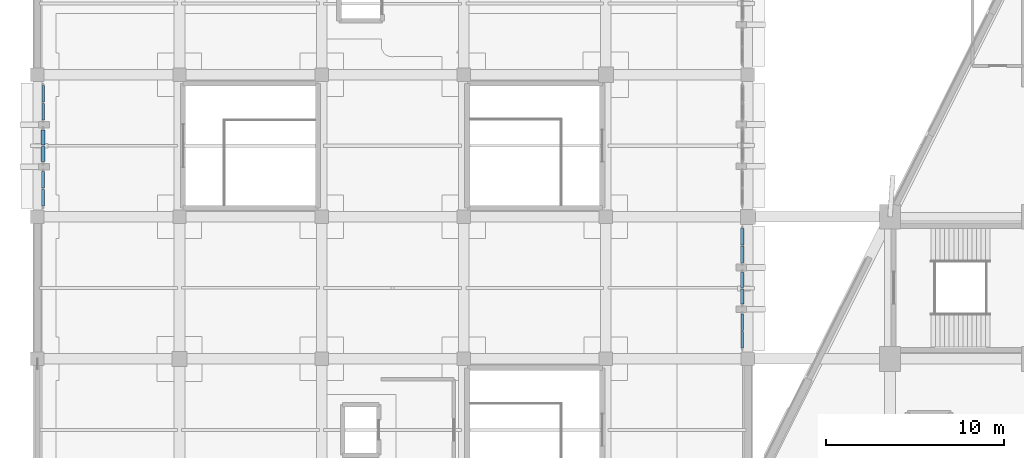
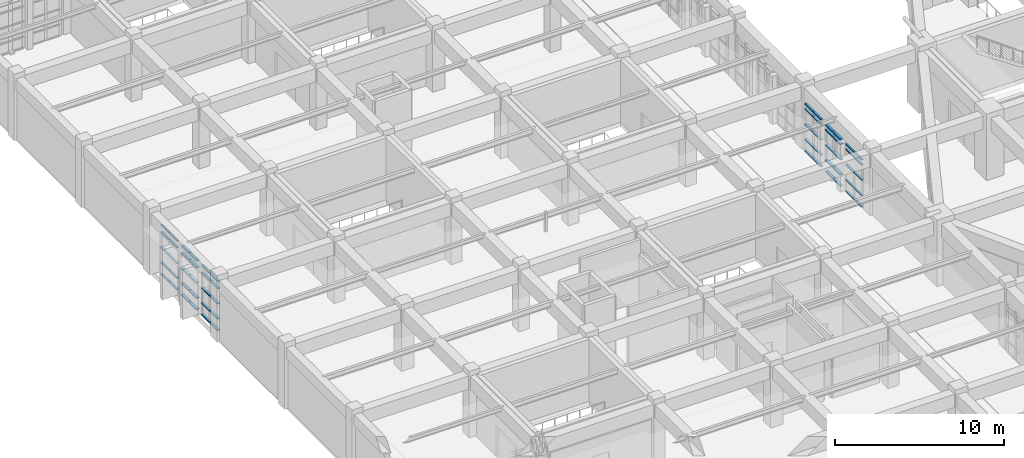
# One storey, part 62 of 155: 60 members, 6 elements without a shape of their own.
"""IFC4 building model written with IfcOpenShell, lengths in metres."""

from ifc_helpers import new_model, si_unit, direction, frame, origin, origin_2d, place, context, subcontext, project, spatial, rectangle, extrude, material, layer, layer_set, material_profile, profile_set, type_object, element, aggregate, save


model = new_model("IFC4")

# Units and contexts
model_context = context("Model", 3, precision=1e-05, world=origin(), true_north=direction((0.0, 1.0)))
body_context = subcontext(model_context, "Body", "Model", "MODEL_VIEW")
ifc_project = project(units=[si_unit("LENGTHUNIT", "METRE"), si_unit("AREAUNIT", "SQUARE_METRE"), si_unit("VOLUMEUNIT", "CUBIC_METRE"), si_unit("PLANEANGLEUNIT", "RADIAN"), si_unit("MASSUNIT", "GRAM", prefix="KILO")], contexts=[model_context])

# Site, building, storey
site_placement = place(None, origin())
site = spatial("IfcSite", under=ifc_project, at=site_placement, CompositionType="ELEMENT")
building_placement = place(site_placement, origin())
building = spatial("IfcBuilding", under=site, at=building_placement, Name="Tazarka Park Arena", CompositionType="ELEMENT")
storey_placement = place(building_placement, frame((0.0, 0.0, 5.39990234375)))
storey = spatial("IfcBuildingStorey", under=building, at=storey_placement, Name="L01", CompositionType="ELEMENT", Elevation=5.39990234375)

# Curtain wall, members
ifc_material_1 = material(Name="Aluminium and low-e glass", Category="aluminium")
ifc_layer_1 = layer(ifc_material_1, 0.179931640625, Name="Aluminium and low-e glass")
ifc_layer_set_1 = layer_set([ifc_layer_1], Name="Aluminium and low-e glass")
curtain_wall_type_1 = type_object("IfcCurtainWallType", Name="CW-21", PredefinedType="NOTDEFINED", material=ifc_layer_set_1)
curtain_wall_1_placement = place(storey_placement, origin())
curtain_wall_1 = element("IfcCurtainWall", 1, at=curtain_wall_1_placement, inside=storey, type_object=curtain_wall_type_1, Name="Curtain Wall CWA-L01-111", PredefinedType="NOTDEFINED")
ifc_material_2 = material(Name="Aluminium 6060-T66", Category="aluminium")
ifc_material_profile_1 = material_profile(ifc_material_2, rectangle(XDim=0.139892578125, YDim=0.06494140625, at=origin_2d()), Name="Aluminium 6060-T66")
ifc_profile_set_1 = profile_set([ifc_material_profile_1], Name="Aluminium 6060-T66")
member_type_1 = type_object("IfcMemberType", Name="CWT-01", PredefinedType="USERDEFINED", material=ifc_profile_set_1)
member_1_placement = place(storey_placement, frame((39.679931640625, 74.526611328125, 0.03271484375), z_axis=(0.0, -1.0, 0.0), x_axis=(1.0, 0.0, 0.0)))
member_1 = element("IfcMember", 2, at=member_1_placement, type_object=member_type_1, Name="CW-21 transom 1.1", ObjectType="TRANSOM", PredefinedType="USERDEFINED", context=body_context, shape_type="SweptSolid", body=[
    extrude(rectangle(XDim=0.139892578125, YDim=0.06494140625, at=origin_2d()), origin(), (0.0, 0.0, 1.0), 0.920654296875),
])
member_2_placement = place(storey_placement, frame((39.679931640625, 74.526611328125, 0.85009765625), z_axis=(0.0, -1.0, 0.0), x_axis=(1.0, 0.0, 0.0)))
member_2 = element("IfcMember", 3, at=member_2_placement, type_object=member_type_1, Name="CW-21 transom 1.2", ObjectType="TRANSOM", PredefinedType="USERDEFINED", context=body_context, shape_type="SweptSolid", body=[
    extrude(rectangle(XDim=0.139892578125, YDim=0.06494140625, at=origin_2d()), origin(), (0.0, 0.0, 1.0), 0.920654296875),
])
member_3_placement = place(storey_placement, frame((39.679931640625, 74.526611328125, 1.9501953125), z_axis=(0.0, -1.0, 0.0), x_axis=(1.0, 0.0, 0.0)))
member_3 = element("IfcMember", 4, at=member_3_placement, type_object=member_type_1, Name="CW-21 transom 1.3", ObjectType="TRANSOM", PredefinedType="USERDEFINED", context=body_context, shape_type="SweptSolid", body=[
    extrude(rectangle(XDim=0.139892578125, YDim=0.06494140625, at=origin_2d()), origin(), (0.0, 0.0, 1.0), 0.920654296875),
])
member_4_placement = place(storey_placement, frame((39.679931640625, 74.526611328125, 3.050048828125), z_axis=(0.0, -1.0, 0.0), x_axis=(1.0, 0.0, 0.0)))
member_4 = element("IfcMember", 5, at=member_4_placement, type_object=member_type_1, Name="CW-21 transom 1.4", ObjectType="TRANSOM", PredefinedType="USERDEFINED", context=body_context, shape_type="SweptSolid", body=[
    extrude(rectangle(XDim=0.139892578125, YDim=0.06494140625, at=origin_2d()), origin(), (0.0, 0.0, 1.0), 0.920654296875),
])
member_5_placement = place(storey_placement, frame((39.679931640625, 74.526611328125, 3.41748046875), z_axis=(0.0, -1.0, 0.0), x_axis=(1.0, 0.0, 0.0)))
member_5 = element("IfcMember", 6, at=member_5_placement, type_object=member_type_1, Name="CW-21 transom 1.5", ObjectType="TRANSOM", PredefinedType="USERDEFINED", context=body_context, shape_type="SweptSolid", body=[
    extrude(rectangle(XDim=0.139892578125, YDim=0.06494140625, at=origin_2d()), origin(), (0.0, 0.0, 1.0), 0.920654296875),
])
member_6_placement = place(storey_placement, frame((39.679931640625, 73.540771484375, 0.03271484375), z_axis=(0.0, -1.0, 0.0), x_axis=(1.0, 0.0, 0.0)))
member_6 = element("IfcMember", 7, at=member_6_placement, type_object=member_type_1, Name="CW-21 transom 2.1", ObjectType="TRANSOM", PredefinedType="USERDEFINED", context=body_context, shape_type="SweptSolid", body=[
    extrude(rectangle(XDim=0.139892578125, YDim=0.06494140625, at=origin_2d()), origin(), (0.0, 0.0, 1.0), 0.920654296875),
])
member_7_placement = place(storey_placement, frame((39.679931640625, 73.540771484375, 0.85009765625), z_axis=(0.0, -1.0, 0.0), x_axis=(1.0, 0.0, 0.0)))
member_7 = element("IfcMember", 8, at=member_7_placement, type_object=member_type_1, Name="CW-21 transom 2.2", ObjectType="TRANSOM", PredefinedType="USERDEFINED", context=body_context, shape_type="SweptSolid", body=[
    extrude(rectangle(XDim=0.139892578125, YDim=0.06494140625, at=origin_2d()), origin(), (0.0, 0.0, 1.0), 0.920654296875),
])
member_8_placement = place(storey_placement, frame((39.679931640625, 73.540771484375, 1.9501953125), z_axis=(0.0, -1.0, 0.0), x_axis=(1.0, 0.0, 0.0)))
member_8 = element("IfcMember", 9, at=member_8_placement, type_object=member_type_1, Name="CW-21 transom 2.3", ObjectType="TRANSOM", PredefinedType="USERDEFINED", context=body_context, shape_type="SweptSolid", body=[
    extrude(rectangle(XDim=0.139892578125, YDim=0.06494140625, at=origin_2d()), origin(), (0.0, 0.0, 1.0), 0.920654296875),
])
member_9_placement = place(storey_placement, frame((39.679931640625, 73.540771484375, 3.050048828125), z_axis=(0.0, -1.0, 0.0), x_axis=(1.0, 0.0, 0.0)))
member_9 = element("IfcMember", 10, at=member_9_placement, type_object=member_type_1, Name="CW-21 transom 2.4", ObjectType="TRANSOM", PredefinedType="USERDEFINED", context=body_context, shape_type="SweptSolid", body=[
    extrude(rectangle(XDim=0.139892578125, YDim=0.06494140625, at=origin_2d()), origin(), (0.0, 0.0, 1.0), 0.920654296875),
])
member_10_placement = place(storey_placement, frame((39.679931640625, 73.540771484375, 3.41748046875), z_axis=(0.0, -1.0, 0.0), x_axis=(1.0, 0.0, 0.0)))
member_10 = element("IfcMember", 11, at=member_10_placement, type_object=member_type_1, Name="CW-21 transom 2.5", ObjectType="TRANSOM", PredefinedType="USERDEFINED", context=body_context, shape_type="SweptSolid", body=[
    extrude(rectangle(XDim=0.139892578125, YDim=0.06494140625, at=origin_2d()), origin(), (0.0, 0.0, 1.0), 0.920654296875),
])
aggregate(curtain_wall_1, [member_1, member_2, member_3, member_4, member_5, member_6, member_7, member_8, member_9, member_10])

ifc_material_3 = material(Name="Aluminium and low-e glass", Category="aluminium")
ifc_layer_2 = layer(ifc_material_3, 0.179931640625, Name="Aluminium and low-e glass")
ifc_layer_set_2 = layer_set([ifc_layer_2], Name="Aluminium and low-e glass")
curtain_wall_type_2 = type_object("IfcCurtainWallType", Name="CW-18", PredefinedType="NOTDEFINED", material=ifc_layer_set_2)
curtain_wall_2_placement = place(storey_placement, origin())
curtain_wall_2 = element("IfcCurtainWall", 12, at=curtain_wall_2_placement, inside=storey, type_object=curtain_wall_type_2, Name="Curtain Wall CWA-L01-138", PredefinedType="NOTDEFINED")
member_11_placement = place(storey_placement, frame((0.320068359375, 85.456787109375, 0.03271484375), z_axis=(0.0, 1.0, 0.0), x_axis=(-1.0, 0.0, 0.0)))
member_11 = element("IfcMember", 13, at=member_11_placement, type_object=member_type_1, Name="CW-18 transom 1.1", ObjectType="TRANSOM", PredefinedType="USERDEFINED", context=body_context, shape_type="SweptSolid", body=[
    extrude(rectangle(XDim=0.139892578125, YDim=0.06494140625, at=origin_2d()), origin(), (0.0, 0.0, 1.0), 0.928955078125),
])
member_12_placement = place(storey_placement, frame((0.320068359375, 85.456787109375, 0.85009765625), z_axis=(0.0, 1.0, 0.0), x_axis=(-1.0, 0.0, 0.0)))
member_12 = element("IfcMember", 14, at=member_12_placement, type_object=member_type_1, Name="CW-18 transom 1.2", ObjectType="TRANSOM", PredefinedType="USERDEFINED", context=body_context, shape_type="SweptSolid", body=[
    extrude(rectangle(XDim=0.139892578125, YDim=0.06494140625, at=origin_2d()), origin(), (0.0, 0.0, 1.0), 0.928955078125),
])
member_13_placement = place(storey_placement, frame((0.320068359375, 85.456787109375, 1.9501953125), z_axis=(0.0, 1.0, 0.0), x_axis=(-1.0, 0.0, 0.0)))
member_13 = element("IfcMember", 15, at=member_13_placement, type_object=member_type_1, Name="CW-18 transom 1.3", ObjectType="TRANSOM", PredefinedType="USERDEFINED", context=body_context, shape_type="SweptSolid", body=[
    extrude(rectangle(XDim=0.139892578125, YDim=0.06494140625, at=origin_2d()), origin(), (0.0, 0.0, 1.0), 0.928955078125),
])
member_14_placement = place(storey_placement, frame((0.320068359375, 85.456787109375, 3.050048828125), z_axis=(0.0, 1.0, 0.0), x_axis=(-1.0, 0.0, 0.0)))
member_14 = element("IfcMember", 16, at=member_14_placement, type_object=member_type_1, Name="CW-18 transom 1.4", ObjectType="TRANSOM", PredefinedType="USERDEFINED", context=body_context, shape_type="SweptSolid", body=[
    extrude(rectangle(XDim=0.139892578125, YDim=0.06494140625, at=origin_2d()), origin(), (0.0, 0.0, 1.0), 0.928955078125),
])
member_15_placement = place(storey_placement, frame((0.320068359375, 85.456787109375, 3.567626953125), z_axis=(0.0, 1.0, 0.0), x_axis=(-1.0, 0.0, 0.0)))
member_15 = element("IfcMember", 17, at=member_15_placement, type_object=member_type_1, Name="CW-18 transom 1.5", ObjectType="TRANSOM", PredefinedType="USERDEFINED", context=body_context, shape_type="SweptSolid", body=[
    extrude(rectangle(XDim=0.139892578125, YDim=0.06494140625, at=origin_2d()), origin(), (0.0, 0.0, 1.0), 0.928955078125),
])
member_16_placement = place(storey_placement, frame((0.320068359375, 86.450927734375, 0.03271484375), z_axis=(0.0, 1.0, 0.0), x_axis=(-1.0, 0.0, 0.0)))
member_16 = element("IfcMember", 18, at=member_16_placement, type_object=member_type_1, Name="CW-18 transom 2.1", ObjectType="TRANSOM", PredefinedType="USERDEFINED", context=body_context, shape_type="SweptSolid", body=[
    extrude(rectangle(XDim=0.139892578125, YDim=0.06494140625, at=origin_2d()), origin(), (0.0, 0.0, 1.0), 0.928955078125),
])
member_17_placement = place(storey_placement, frame((0.320068359375, 86.450927734375, 0.85009765625), z_axis=(0.0, 1.0, 0.0), x_axis=(-1.0, 0.0, 0.0)))
member_17 = element("IfcMember", 19, at=member_17_placement, type_object=member_type_1, Name="CW-18 transom 2.2", ObjectType="TRANSOM", PredefinedType="USERDEFINED", context=body_context, shape_type="SweptSolid", body=[
    extrude(rectangle(XDim=0.139892578125, YDim=0.06494140625, at=origin_2d()), origin(), (0.0, 0.0, 1.0), 0.928955078125),
])
member_18_placement = place(storey_placement, frame((0.320068359375, 86.450927734375, 1.9501953125), z_axis=(0.0, 1.0, 0.0), x_axis=(-1.0, 0.0, 0.0)))
member_18 = element("IfcMember", 20, at=member_18_placement, type_object=member_type_1, Name="CW-18 transom 2.3", ObjectType="TRANSOM", PredefinedType="USERDEFINED", context=body_context, shape_type="SweptSolid", body=[
    extrude(rectangle(XDim=0.139892578125, YDim=0.06494140625, at=origin_2d()), origin(), (0.0, 0.0, 1.0), 0.928955078125),
])
member_19_placement = place(storey_placement, frame((0.320068359375, 86.450927734375, 3.050048828125), z_axis=(0.0, 1.0, 0.0), x_axis=(-1.0, 0.0, 0.0)))
member_19 = element("IfcMember", 21, at=member_19_placement, type_object=member_type_1, Name="CW-18 transom 2.4", ObjectType="TRANSOM", PredefinedType="USERDEFINED", context=body_context, shape_type="SweptSolid", body=[
    extrude(rectangle(XDim=0.139892578125, YDim=0.06494140625, at=origin_2d()), origin(), (0.0, 0.0, 1.0), 0.928955078125),
])
member_20_placement = place(storey_placement, frame((0.320068359375, 86.450927734375, 3.567626953125), z_axis=(0.0, 1.0, 0.0), x_axis=(-1.0, 0.0, 0.0)))
member_20 = element("IfcMember", 22, at=member_20_placement, type_object=member_type_1, Name="CW-18 transom 2.5", ObjectType="TRANSOM", PredefinedType="USERDEFINED", context=body_context, shape_type="SweptSolid", body=[
    extrude(rectangle(XDim=0.139892578125, YDim=0.06494140625, at=origin_2d()), origin(), (0.0, 0.0, 1.0), 0.928955078125),
])
aggregate(curtain_wall_2, [member_11, member_12, member_13, member_14, member_15, member_16, member_17, member_18, member_19, member_20])

ifc_material_4 = material(Name="Aluminium and low-e glass", Category="aluminium")
ifc_layer_3 = layer(ifc_material_4, 0.179931640625, Name="Aluminium and low-e glass")
ifc_layer_set_3 = layer_set([ifc_layer_3], Name="Aluminium and low-e glass")
curtain_wall_type_3 = type_object("IfcCurtainWallType", Name="CW-19", PredefinedType="NOTDEFINED", material=ifc_layer_set_3)
curtain_wall_3_placement = place(storey_placement, origin())
curtain_wall_3 = element("IfcCurtainWall", 23, at=curtain_wall_3_placement, inside=storey, type_object=curtain_wall_type_3, Name="Curtain Wall CWA-L01-109", PredefinedType="NOTDEFINED")
ifc_material_5 = material(Name="Aluminium 6060-T66", Category="aluminium")
ifc_material_profile_2 = material_profile(ifc_material_5, rectangle(XDim=0.179931640625, YDim=0.06494140625, at=origin_2d()), Name="Aluminium 6060-T66")
ifc_profile_set_2 = profile_set([ifc_material_profile_2], Name="Aluminium 6060-T66")
member_type_2 = type_object("IfcMemberType", Name="CWT-02", PredefinedType="USERDEFINED", material=ifc_profile_set_2)
member_21_placement = place(storey_placement, frame((39.679931640625, 79.330078125, 0.03271484375), z_axis=(0.0, -1.0, 0.0), x_axis=(1.0, 0.0, 0.0)))
member_21 = element("IfcMember", 24, at=member_21_placement, type_object=member_type_2, Name="CW-19 transom 1.1", ObjectType="TRANSOM", PredefinedType="USERDEFINED", context=body_context, shape_type="SweptSolid", body=[
    extrude(rectangle(XDim=0.179931640625, YDim=0.06494140625, at=origin_2d()), origin(), (0.0, 0.0, 1.0), 0.9208984375),
])
member_22_placement = place(storey_placement, frame((39.679931640625, 79.330078125, 0.85009765625), z_axis=(0.0, -1.0, 0.0), x_axis=(1.0, 0.0, 0.0)))
member_22 = element("IfcMember", 25, at=member_22_placement, type_object=member_type_2, Name="CW-19 transom 1.2", ObjectType="TRANSOM", PredefinedType="USERDEFINED", context=body_context, shape_type="SweptSolid", body=[
    extrude(rectangle(XDim=0.179931640625, YDim=0.06494140625, at=origin_2d()), origin(), (0.0, 0.0, 1.0), 0.9208984375),
])
member_23_placement = place(storey_placement, frame((39.679931640625, 79.330078125, 1.9501953125), z_axis=(0.0, -1.0, 0.0), x_axis=(1.0, 0.0, 0.0)))
member_23 = element("IfcMember", 26, at=member_23_placement, type_object=member_type_2, Name="CW-19 transom 1.3", ObjectType="TRANSOM", PredefinedType="USERDEFINED", context=body_context, shape_type="SweptSolid", body=[
    extrude(rectangle(XDim=0.179931640625, YDim=0.06494140625, at=origin_2d()), origin(), (0.0, 0.0, 1.0), 0.9208984375),
])
member_24_placement = place(storey_placement, frame((39.679931640625, 79.330078125, 3.050048828125), z_axis=(0.0, -1.0, 0.0), x_axis=(1.0, 0.0, 0.0)))
member_24 = element("IfcMember", 27, at=member_24_placement, type_object=member_type_2, Name="CW-19 transom 1.4", ObjectType="TRANSOM", PredefinedType="USERDEFINED", context=body_context, shape_type="SweptSolid", body=[
    extrude(rectangle(XDim=0.179931640625, YDim=0.06494140625, at=origin_2d()), origin(), (0.0, 0.0, 1.0), 0.9208984375),
])
member_25_placement = place(storey_placement, frame((39.679931640625, 79.330078125, 3.41748046875), z_axis=(0.0, -1.0, 0.0), x_axis=(1.0, 0.0, 0.0)))
member_25 = element("IfcMember", 28, at=member_25_placement, type_object=member_type_2, Name="CW-19 transom 1.5", ObjectType="TRANSOM", PredefinedType="USERDEFINED", context=body_context, shape_type="SweptSolid", body=[
    extrude(rectangle(XDim=0.179931640625, YDim=0.06494140625, at=origin_2d()), origin(), (0.0, 0.0, 1.0), 0.9208984375),
])
member_26_placement = place(storey_placement, frame((39.679931640625, 78.34423828125, 0.03271484375), z_axis=(0.0, -1.0, 0.0), x_axis=(1.0, 0.0, 0.0)))
member_26 = element("IfcMember", 29, at=member_26_placement, type_object=member_type_2, Name="CW-19 transom 2.1", ObjectType="TRANSOM", PredefinedType="USERDEFINED", context=body_context, shape_type="SweptSolid", body=[
    extrude(rectangle(XDim=0.179931640625, YDim=0.06494140625, at=origin_2d()), origin(), (0.0, 0.0, 1.0), 0.9208984375),
])
member_27_placement = place(storey_placement, frame((39.679931640625, 78.34423828125, 0.85009765625), z_axis=(0.0, -1.0, 0.0), x_axis=(1.0, 0.0, 0.0)))
member_27 = element("IfcMember", 30, at=member_27_placement, type_object=member_type_2, Name="CW-19 transom 2.2", ObjectType="TRANSOM", PredefinedType="USERDEFINED", context=body_context, shape_type="SweptSolid", body=[
    extrude(rectangle(XDim=0.179931640625, YDim=0.06494140625, at=origin_2d()), origin(), (0.0, 0.0, 1.0), 0.9208984375),
])
member_28_placement = place(storey_placement, frame((39.679931640625, 78.34423828125, 1.9501953125), z_axis=(0.0, -1.0, 0.0), x_axis=(1.0, 0.0, 0.0)))
member_28 = element("IfcMember", 31, at=member_28_placement, type_object=member_type_2, Name="CW-19 transom 2.3", ObjectType="TRANSOM", PredefinedType="USERDEFINED", context=body_context, shape_type="SweptSolid", body=[
    extrude(rectangle(XDim=0.179931640625, YDim=0.06494140625, at=origin_2d()), origin(), (0.0, 0.0, 1.0), 0.9208984375),
])
member_29_placement = place(storey_placement, frame((39.679931640625, 78.34423828125, 3.050048828125), z_axis=(0.0, -1.0, 0.0), x_axis=(1.0, 0.0, 0.0)))
member_29 = element("IfcMember", 32, at=member_29_placement, type_object=member_type_2, Name="CW-19 transom 2.4", ObjectType="TRANSOM", PredefinedType="USERDEFINED", context=body_context, shape_type="SweptSolid", body=[
    extrude(rectangle(XDim=0.179931640625, YDim=0.06494140625, at=origin_2d()), origin(), (0.0, 0.0, 1.0), 0.9208984375),
])
member_30_placement = place(storey_placement, frame((39.679931640625, 78.34423828125, 3.41748046875), z_axis=(0.0, -1.0, 0.0), x_axis=(1.0, 0.0, 0.0)))
member_30 = element("IfcMember", 33, at=member_30_placement, type_object=member_type_2, Name="CW-19 transom 2.5", ObjectType="TRANSOM", PredefinedType="USERDEFINED", context=body_context, shape_type="SweptSolid", body=[
    extrude(rectangle(XDim=0.179931640625, YDim=0.06494140625, at=origin_2d()), origin(), (0.0, 0.0, 1.0), 0.9208984375),
])
aggregate(curtain_wall_3, [member_21, member_22, member_23, member_24, member_25, member_26, member_27, member_28, member_29, member_30])

ifc_material_6 = material(Name="Aluminium and low-e glass", Category="aluminium")
ifc_layer_4 = layer(ifc_material_6, 0.179931640625, Name="Aluminium and low-e glass")
ifc_layer_set_4 = layer_set([ifc_layer_4], Name="Aluminium and low-e glass")
curtain_wall_type_4 = type_object("IfcCurtainWallType", Name="CW-16", PredefinedType="NOTDEFINED", material=ifc_layer_set_4)
curtain_wall_4_placement = place(storey_placement, origin())
curtain_wall_4 = element("IfcCurtainWall", 34, at=curtain_wall_4_placement, inside=storey, type_object=curtain_wall_type_4, Name="Curtain Wall CWA-L01-136", PredefinedType="NOTDEFINED")
member_31_placement = place(storey_placement, frame((0.320068359375, 80.6201171875, 0.03271484375), z_axis=(0.0, 1.0, 0.0), x_axis=(-1.0, 0.0, 0.0)))
member_31 = element("IfcMember", 35, at=member_31_placement, type_object=member_type_2, Name="CW-16 transom 1.1", ObjectType="TRANSOM", PredefinedType="USERDEFINED", context=body_context, shape_type="SweptSolid", body=[
    extrude(rectangle(XDim=0.179931640625, YDim=0.06494140625, at=origin_2d()), origin(), (0.0, 0.0, 1.0), 0.928955078125),
])
member_32_placement = place(storey_placement, frame((0.320068359375, 80.6201171875, 0.85009765625), z_axis=(0.0, 1.0, 0.0), x_axis=(-1.0, 0.0, 0.0)))
member_32 = element("IfcMember", 36, at=member_32_placement, type_object=member_type_2, Name="CW-16 transom 1.2", ObjectType="TRANSOM", PredefinedType="USERDEFINED", context=body_context, shape_type="SweptSolid", body=[
    extrude(rectangle(XDim=0.179931640625, YDim=0.06494140625, at=origin_2d()), origin(), (0.0, 0.0, 1.0), 0.928955078125),
])
member_33_placement = place(storey_placement, frame((0.320068359375, 80.6201171875, 1.9501953125), z_axis=(0.0, 1.0, 0.0), x_axis=(-1.0, 0.0, 0.0)))
member_33 = element("IfcMember", 37, at=member_33_placement, type_object=member_type_2, Name="CW-16 transom 1.3", ObjectType="TRANSOM", PredefinedType="USERDEFINED", context=body_context, shape_type="SweptSolid", body=[
    extrude(rectangle(XDim=0.179931640625, YDim=0.06494140625, at=origin_2d()), origin(), (0.0, 0.0, 1.0), 0.928955078125),
])
member_34_placement = place(storey_placement, frame((0.320068359375, 80.6201171875, 3.050048828125), z_axis=(0.0, 1.0, 0.0), x_axis=(-1.0, 0.0, 0.0)))
member_34 = element("IfcMember", 38, at=member_34_placement, type_object=member_type_2, Name="CW-16 transom 1.4", ObjectType="TRANSOM", PredefinedType="USERDEFINED", context=body_context, shape_type="SweptSolid", body=[
    extrude(rectangle(XDim=0.179931640625, YDim=0.06494140625, at=origin_2d()), origin(), (0.0, 0.0, 1.0), 0.928955078125),
])
member_35_placement = place(storey_placement, frame((0.320068359375, 80.6201171875, 3.567626953125), z_axis=(0.0, 1.0, 0.0), x_axis=(-1.0, 0.0, 0.0)))
member_35 = element("IfcMember", 39, at=member_35_placement, type_object=member_type_2, Name="CW-16 transom 1.5", ObjectType="TRANSOM", PredefinedType="USERDEFINED", context=body_context, shape_type="SweptSolid", body=[
    extrude(rectangle(XDim=0.179931640625, YDim=0.06494140625, at=origin_2d()), origin(), (0.0, 0.0, 1.0), 0.928955078125),
])
member_36_placement = place(storey_placement, frame((0.320068359375, 81.6142578125, 0.03271484375), z_axis=(0.0, 1.0, 0.0), x_axis=(-1.0, 0.0, 0.0)))
member_36 = element("IfcMember", 40, at=member_36_placement, type_object=member_type_2, Name="CW-16 transom 2.1", ObjectType="TRANSOM", PredefinedType="USERDEFINED", context=body_context, shape_type="SweptSolid", body=[
    extrude(rectangle(XDim=0.179931640625, YDim=0.06494140625, at=origin_2d()), origin(), (0.0, 0.0, 1.0), 0.928955078125),
])
member_37_placement = place(storey_placement, frame((0.320068359375, 81.6142578125, 0.85009765625), z_axis=(0.0, 1.0, 0.0), x_axis=(-1.0, 0.0, 0.0)))
member_37 = element("IfcMember", 41, at=member_37_placement, type_object=member_type_2, Name="CW-16 transom 2.2", ObjectType="TRANSOM", PredefinedType="USERDEFINED", context=body_context, shape_type="SweptSolid", body=[
    extrude(rectangle(XDim=0.179931640625, YDim=0.06494140625, at=origin_2d()), origin(), (0.0, 0.0, 1.0), 0.928955078125),
])
member_38_placement = place(storey_placement, frame((0.320068359375, 81.6142578125, 1.9501953125), z_axis=(0.0, 1.0, 0.0), x_axis=(-1.0, 0.0, 0.0)))
member_38 = element("IfcMember", 42, at=member_38_placement, type_object=member_type_2, Name="CW-16 transom 2.3", ObjectType="TRANSOM", PredefinedType="USERDEFINED", context=body_context, shape_type="SweptSolid", body=[
    extrude(rectangle(XDim=0.179931640625, YDim=0.06494140625, at=origin_2d()), origin(), (0.0, 0.0, 1.0), 0.928955078125),
])
member_39_placement = place(storey_placement, frame((0.320068359375, 81.6142578125, 3.050048828125), z_axis=(0.0, 1.0, 0.0), x_axis=(-1.0, 0.0, 0.0)))
member_39 = element("IfcMember", 43, at=member_39_placement, type_object=member_type_2, Name="CW-16 transom 2.4", ObjectType="TRANSOM", PredefinedType="USERDEFINED", context=body_context, shape_type="SweptSolid", body=[
    extrude(rectangle(XDim=0.179931640625, YDim=0.06494140625, at=origin_2d()), origin(), (0.0, 0.0, 1.0), 0.928955078125),
])
member_40_placement = place(storey_placement, frame((0.320068359375, 81.6142578125, 3.567626953125), z_axis=(0.0, 1.0, 0.0), x_axis=(-1.0, 0.0, 0.0)))
member_40 = element("IfcMember", 44, at=member_40_placement, type_object=member_type_2, Name="CW-16 transom 2.5", ObjectType="TRANSOM", PredefinedType="USERDEFINED", context=body_context, shape_type="SweptSolid", body=[
    extrude(rectangle(XDim=0.179931640625, YDim=0.06494140625, at=origin_2d()), origin(), (0.0, 0.0, 1.0), 0.928955078125),
])
aggregate(curtain_wall_4, [member_31, member_32, member_33, member_34, member_35, member_36, member_37, member_38, member_39, member_40])

ifc_material_7 = material(Name="Aluminium and low-e glass", Category="aluminium")
ifc_layer_5 = layer(ifc_material_7, 0.179931640625, Name="Aluminium and low-e glass")
ifc_layer_set_5 = layer_set([ifc_layer_5], Name="Aluminium and low-e glass")
curtain_wall_type_5 = type_object("IfcCurtainWallType", Name="CW-20", PredefinedType="NOTDEFINED", material=ifc_layer_set_5)
curtain_wall_5_placement = place(storey_placement, origin())
curtain_wall_5 = element("IfcCurtainWall", 45, at=curtain_wall_5_placement, inside=storey, type_object=curtain_wall_type_5, Name="Curtain Wall CWA-L01-110", PredefinedType="NOTDEFINED")
ifc_material_8 = material(Name="Aluminium 6060-T66", Category="aluminium")
ifc_material_profile_3 = material_profile(ifc_material_8, rectangle(XDim=0.2099609375, YDim=0.074951171875, at=origin_2d()), Name="Aluminium 6060-T66")
ifc_profile_set_3 = profile_set([ifc_material_profile_3], Name="Aluminium 6060-T66")
member_type_3 = type_object("IfcMemberType", Name="CWT-03", PredefinedType="USERDEFINED", material=ifc_profile_set_3)
member_41_placement = place(storey_placement, frame((39.679931640625, 76.86328125, 0.03759765625), z_axis=(0.0, -1.0, 0.0), x_axis=(1.0, 0.0, 0.0)))
member_41 = element("IfcMember", 46, at=member_41_placement, type_object=member_type_3, Name="CW-20 transom 1.1", ObjectType="TRANSOM", PredefinedType="USERDEFINED", context=body_context, shape_type="SweptSolid", body=[
    extrude(rectangle(XDim=0.2099609375, YDim=0.074951171875, at=origin_2d()), origin(), (0.0, 0.0, 1.0), 0.850830078125),
])
member_42_placement = place(storey_placement, frame((39.679931640625, 76.86328125, 0.85009765625), z_axis=(0.0, -1.0, 0.0), x_axis=(1.0, 0.0, 0.0)))
member_42 = element("IfcMember", 47, at=member_42_placement, type_object=member_type_3, Name="CW-20 transom 1.2", ObjectType="TRANSOM", PredefinedType="USERDEFINED", context=body_context, shape_type="SweptSolid", body=[
    extrude(rectangle(XDim=0.2099609375, YDim=0.074951171875, at=origin_2d()), origin(), (0.0, 0.0, 1.0), 0.850830078125),
])
member_43_placement = place(storey_placement, frame((39.679931640625, 76.86328125, 1.9501953125), z_axis=(0.0, -1.0, 0.0), x_axis=(1.0, 0.0, 0.0)))
member_43 = element("IfcMember", 48, at=member_43_placement, type_object=member_type_3, Name="CW-20 transom 1.3", ObjectType="TRANSOM", PredefinedType="USERDEFINED", context=body_context, shape_type="SweptSolid", body=[
    extrude(rectangle(XDim=0.2099609375, YDim=0.074951171875, at=origin_2d()), origin(), (0.0, 0.0, 1.0), 0.850830078125),
])
member_44_placement = place(storey_placement, frame((39.679931640625, 76.86328125, 3.050048828125), z_axis=(0.0, -1.0, 0.0), x_axis=(1.0, 0.0, 0.0)))
member_44 = element("IfcMember", 49, at=member_44_placement, type_object=member_type_3, Name="CW-20 transom 1.4", ObjectType="TRANSOM", PredefinedType="USERDEFINED", context=body_context, shape_type="SweptSolid", body=[
    extrude(rectangle(XDim=0.2099609375, YDim=0.074951171875, at=origin_2d()), origin(), (0.0, 0.0, 1.0), 0.850830078125),
])
member_45_placement = place(storey_placement, frame((39.679931640625, 76.86328125, 3.41259765625), z_axis=(0.0, -1.0, 0.0), x_axis=(1.0, 0.0, 0.0)))
member_45 = element("IfcMember", 50, at=member_45_placement, type_object=member_type_3, Name="CW-20 transom 1.5", ObjectType="TRANSOM", PredefinedType="USERDEFINED", context=body_context, shape_type="SweptSolid", body=[
    extrude(rectangle(XDim=0.2099609375, YDim=0.074951171875, at=origin_2d()), origin(), (0.0, 0.0, 1.0), 0.850830078125),
])
member_46_placement = place(storey_placement, frame((39.679931640625, 75.9375, 0.03759765625), z_axis=(0.0, -1.0, 0.0), x_axis=(1.0, 0.0, 0.0)))
member_46 = element("IfcMember", 51, at=member_46_placement, type_object=member_type_3, Name="CW-20 transom 2.1", ObjectType="TRANSOM", PredefinedType="USERDEFINED", context=body_context, shape_type="SweptSolid", body=[
    extrude(rectangle(XDim=0.2099609375, YDim=0.074951171875, at=origin_2d()), origin(), (0.0, 0.0, 1.0), 0.850830078125),
])
member_47_placement = place(storey_placement, frame((39.679931640625, 75.9375, 0.85009765625), z_axis=(0.0, -1.0, 0.0), x_axis=(1.0, 0.0, 0.0)))
member_47 = element("IfcMember", 52, at=member_47_placement, type_object=member_type_3, Name="CW-20 transom 2.2", ObjectType="TRANSOM", PredefinedType="USERDEFINED", context=body_context, shape_type="SweptSolid", body=[
    extrude(rectangle(XDim=0.2099609375, YDim=0.074951171875, at=origin_2d()), origin(), (0.0, 0.0, 1.0), 0.850830078125),
])
member_48_placement = place(storey_placement, frame((39.679931640625, 75.9375, 1.9501953125), z_axis=(0.0, -1.0, 0.0), x_axis=(1.0, 0.0, 0.0)))
member_48 = element("IfcMember", 53, at=member_48_placement, type_object=member_type_3, Name="CW-20 transom 2.3", ObjectType="TRANSOM", PredefinedType="USERDEFINED", context=body_context, shape_type="SweptSolid", body=[
    extrude(rectangle(XDim=0.2099609375, YDim=0.074951171875, at=origin_2d()), origin(), (0.0, 0.0, 1.0), 0.850830078125),
])
member_49_placement = place(storey_placement, frame((39.679931640625, 75.9375, 3.050048828125), z_axis=(0.0, -1.0, 0.0), x_axis=(1.0, 0.0, 0.0)))
member_49 = element("IfcMember", 54, at=member_49_placement, type_object=member_type_3, Name="CW-20 transom 2.4", ObjectType="TRANSOM", PredefinedType="USERDEFINED", context=body_context, shape_type="SweptSolid", body=[
    extrude(rectangle(XDim=0.2099609375, YDim=0.074951171875, at=origin_2d()), origin(), (0.0, 0.0, 1.0), 0.850830078125),
])
member_50_placement = place(storey_placement, frame((39.679931640625, 75.9375, 3.41259765625), z_axis=(0.0, -1.0, 0.0), x_axis=(1.0, 0.0, 0.0)))
member_50 = element("IfcMember", 55, at=member_50_placement, type_object=member_type_3, Name="CW-20 transom 2.5", ObjectType="TRANSOM", PredefinedType="USERDEFINED", context=body_context, shape_type="SweptSolid", body=[
    extrude(rectangle(XDim=0.2099609375, YDim=0.074951171875, at=origin_2d()), origin(), (0.0, 0.0, 1.0), 0.850830078125),
])
aggregate(curtain_wall_5, [member_41, member_42, member_43, member_44, member_45, member_46, member_47, member_48, member_49, member_50])

ifc_material_9 = material(Name="Aluminium and low-e glass", Category="aluminium")
ifc_layer_6 = layer(ifc_material_9, 0.179931640625, Name="Aluminium and low-e glass")
ifc_layer_set_6 = layer_set([ifc_layer_6], Name="Aluminium and low-e glass")
curtain_wall_type_6 = type_object("IfcCurtainWallType", Name="CW-17", PredefinedType="NOTDEFINED", material=ifc_layer_set_6)
curtain_wall_6_placement = place(storey_placement, origin())
curtain_wall_6 = element("IfcCurtainWall", 56, at=curtain_wall_6_placement, inside=storey, type_object=curtain_wall_type_6, Name="Curtain Wall CWA-L01-137", PredefinedType="NOTDEFINED")
member_51_placement = place(storey_placement, frame((0.320068359375, 83.103271484375, 0.03759765625), z_axis=(0.0, 1.0, 0.0), x_axis=(-1.0, 0.0, 0.0)))
member_51 = element("IfcMember", 57, at=member_51_placement, type_object=member_type_3, Name="CW-17 transom 1.1", ObjectType="TRANSOM", PredefinedType="USERDEFINED", context=body_context, shape_type="SweptSolid", body=[
    extrude(rectangle(XDim=0.2099609375, YDim=0.074951171875, at=origin_2d()), origin(), (0.0, 0.0, 1.0), 0.859130859375),
])
member_52_placement = place(storey_placement, frame((0.320068359375, 83.103271484375, 0.85009765625), z_axis=(0.0, 1.0, 0.0), x_axis=(-1.0, 0.0, 0.0)))
member_52 = element("IfcMember", 58, at=member_52_placement, type_object=member_type_3, Name="CW-17 transom 1.2", ObjectType="TRANSOM", PredefinedType="USERDEFINED", context=body_context, shape_type="SweptSolid", body=[
    extrude(rectangle(XDim=0.2099609375, YDim=0.074951171875, at=origin_2d()), origin(), (0.0, 0.0, 1.0), 0.859130859375),
])
member_53_placement = place(storey_placement, frame((0.320068359375, 83.103271484375, 1.9501953125), z_axis=(0.0, 1.0, 0.0), x_axis=(-1.0, 0.0, 0.0)))
member_53 = element("IfcMember", 59, at=member_53_placement, type_object=member_type_3, Name="CW-17 transom 1.3", ObjectType="TRANSOM", PredefinedType="USERDEFINED", context=body_context, shape_type="SweptSolid", body=[
    extrude(rectangle(XDim=0.2099609375, YDim=0.074951171875, at=origin_2d()), origin(), (0.0, 0.0, 1.0), 0.859130859375),
])
member_54_placement = place(storey_placement, frame((0.320068359375, 83.103271484375, 3.050048828125), z_axis=(0.0, 1.0, 0.0), x_axis=(-1.0, 0.0, 0.0)))
member_54 = element("IfcMember", 60, at=member_54_placement, type_object=member_type_3, Name="CW-17 transom 1.4", ObjectType="TRANSOM", PredefinedType="USERDEFINED", context=body_context, shape_type="SweptSolid", body=[
    extrude(rectangle(XDim=0.2099609375, YDim=0.074951171875, at=origin_2d()), origin(), (0.0, 0.0, 1.0), 0.859130859375),
])
member_55_placement = place(storey_placement, frame((0.320068359375, 83.103271484375, 3.5625), z_axis=(0.0, 1.0, 0.0), x_axis=(-1.0, 0.0, 0.0)))
member_55 = element("IfcMember", 61, at=member_55_placement, type_object=member_type_3, Name="CW-17 transom 1.5", ObjectType="TRANSOM", PredefinedType="USERDEFINED", context=body_context, shape_type="SweptSolid", body=[
    extrude(rectangle(XDim=0.2099609375, YDim=0.074951171875, at=origin_2d()), origin(), (0.0, 0.0, 1.0), 0.859130859375),
])
member_56_placement = place(storey_placement, frame((0.320068359375, 84.03759765625, 0.03759765625), z_axis=(0.0, 1.0, 0.0), x_axis=(-1.0, 0.0, 0.0)))
member_56 = element("IfcMember", 62, at=member_56_placement, type_object=member_type_3, Name="CW-17 transom 2.1", ObjectType="TRANSOM", PredefinedType="USERDEFINED", context=body_context, shape_type="SweptSolid", body=[
    extrude(rectangle(XDim=0.2099609375, YDim=0.074951171875, at=origin_2d()), origin(), (0.0, 0.0, 1.0), 0.859130859375),
])
member_57_placement = place(storey_placement, frame((0.320068359375, 84.03759765625, 0.85009765625), z_axis=(0.0, 1.0, 0.0), x_axis=(-1.0, 0.0, 0.0)))
member_57 = element("IfcMember", 63, at=member_57_placement, type_object=member_type_3, Name="CW-17 transom 2.2", ObjectType="TRANSOM", PredefinedType="USERDEFINED", context=body_context, shape_type="SweptSolid", body=[
    extrude(rectangle(XDim=0.2099609375, YDim=0.074951171875, at=origin_2d()), origin(), (0.0, 0.0, 1.0), 0.859130859375),
])
member_58_placement = place(storey_placement, frame((0.320068359375, 84.03759765625, 1.9501953125), z_axis=(0.0, 1.0, 0.0), x_axis=(-1.0, 0.0, 0.0)))
member_58 = element("IfcMember", 64, at=member_58_placement, type_object=member_type_3, Name="CW-17 transom 2.3", ObjectType="TRANSOM", PredefinedType="USERDEFINED", context=body_context, shape_type="SweptSolid", body=[
    extrude(rectangle(XDim=0.2099609375, YDim=0.074951171875, at=origin_2d()), origin(), (0.0, 0.0, 1.0), 0.859130859375),
])
member_59_placement = place(storey_placement, frame((0.320068359375, 84.03759765625, 3.050048828125), z_axis=(0.0, 1.0, 0.0), x_axis=(-1.0, 0.0, 0.0)))
member_59 = element("IfcMember", 65, at=member_59_placement, type_object=member_type_3, Name="CW-17 transom 2.4", ObjectType="TRANSOM", PredefinedType="USERDEFINED", context=body_context, shape_type="SweptSolid", body=[
    extrude(rectangle(XDim=0.2099609375, YDim=0.074951171875, at=origin_2d()), origin(), (0.0, 0.0, 1.0), 0.859130859375),
])
member_60_placement = place(storey_placement, frame((0.320068359375, 84.03759765625, 3.5625), z_axis=(0.0, 1.0, 0.0), x_axis=(-1.0, 0.0, 0.0)))
member_60 = element("IfcMember", 66, at=member_60_placement, type_object=member_type_3, Name="CW-17 transom 2.5", ObjectType="TRANSOM", PredefinedType="USERDEFINED", context=body_context, shape_type="SweptSolid", body=[
    extrude(rectangle(XDim=0.2099609375, YDim=0.074951171875, at=origin_2d()), origin(), (0.0, 0.0, 1.0), 0.859130859375),
])
aggregate(curtain_wall_6, [member_51, member_52, member_53, member_54, member_55, member_56, member_57, member_58, member_59, member_60])

save(model, "model.ifc")
